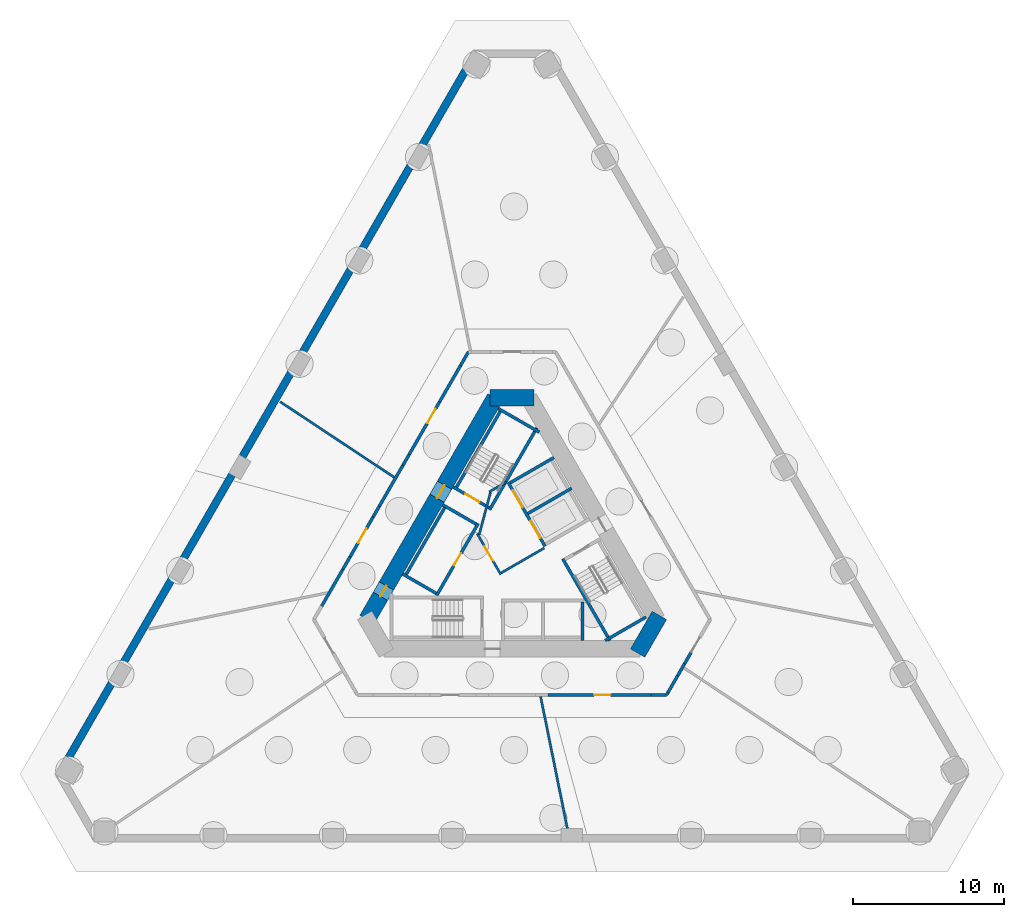
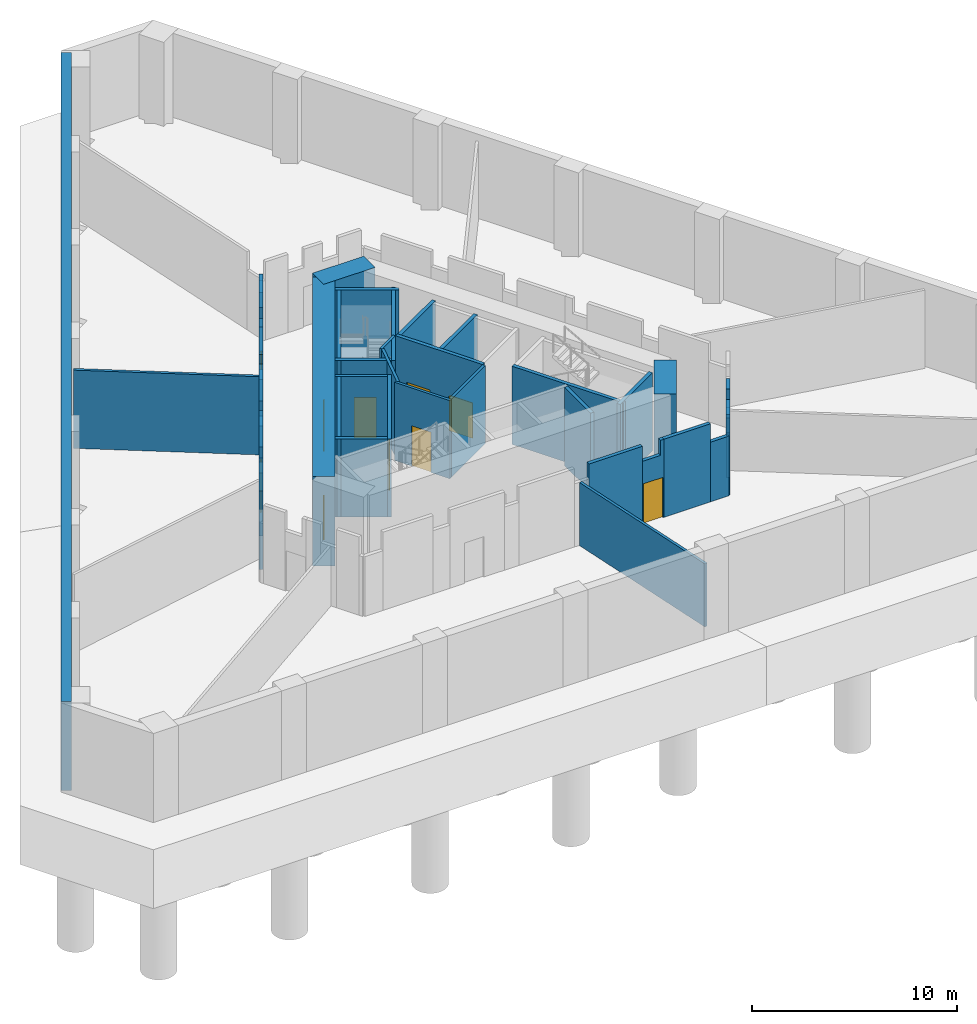
# One storey, part 3 of 7: 42 walls, 10 doors, 10 openings.
"""IFC4 building model written with IfcOpenShell, lengths in metres."""

from ifc_helpers import new_model, si_unit, direction, frame, frame_2d, origin, place, context, subcontext, project, spatial, polyline, rectangle, outline, extrude, material, layer, layer_set, type_object, element, fill, save


model = new_model("IFC4")

# Units and contexts
model_context = context("Model", 3, precision=1e-05, world=origin(), true_north=direction((0.0, 1.0)))
body_context = subcontext(model_context, "Body", "Model", "MODEL_VIEW")
ifc_project = project(units=[si_unit("LENGTHUNIT", "METRE"), si_unit("AREAUNIT", "SQUARE_METRE"), si_unit("VOLUMEUNIT", "CUBIC_METRE"), si_unit("PLANEANGLEUNIT", "RADIAN"), si_unit("MASSUNIT", "GRAM", prefix="KILO")], contexts=[model_context])

# Site, building, storey
site_placement = place(None, origin())
site = spatial("IfcSite", under=ifc_project, at=site_placement, CompositionType="ELEMENT")
building_placement = place(site_placement, origin())
building = spatial("IfcBuilding", under=site, at=building_placement, Name="Tramontana Tower", CompositionType="ELEMENT")
storey_placement = place(building_placement, frame((0.0, 0.0, -5.0)))
storey = spatial("IfcBuildingStorey", under=building, at=storey_placement, Name="B1", CompositionType="ELEMENT", Elevation=-5.0)

# Walls
ifc_material_1 = material(Name="Concrete 50 MPa", Category="concrete")
ifc_layer_1 = layer(ifc_material_1, 0.5)
ifc_layer_set_1 = layer_set([ifc_layer_1], Name="Basement wall 500 50 MPa")
wall_type_1 = type_object("IfcWallType", Name="Basement wall 500 50 MPa", PredefinedType="SHEAR", material=ifc_layer_set_1)
wall_1_placement = place(storey_placement, frame((-2.45361328125, 33.25, -0.300048828125), z_axis=(0.0, 0.0, 1.0), x_axis=(-0.500001743317, -0.866024397277, 0.0)))
element("IfcWall", 1, at=wall_1_placement, inside=storey, type_object=wall_type_1, Name="Basement wall 2", PredefinedType="SHEAR", context=body_context, shape_type="SweptSolid", body=[
    extrude(rectangle(XDim=55.136962890625, YDim=0.5, at=frame_2d((27.568359375, 0.0))), origin(), (0.0, 0.0, 1.0), 5.300048828125),
])
ifc_material_2 = material(Name="Concrete 70 MPa", Category="concrete")
ifc_layer_2 = layer(ifc_material_2, 1.10009765625)
ifc_layer_set_2 = layer_set([ifc_layer_2], Name="Core wall 1100 70 MPa")
wall_type_2 = type_object("IfcWallType", Name="Core wall 1100 70 MPa", PredefinedType="SHEAR", material=ifc_layer_set_2)
wall_2_placement = place(storey_placement, frame((1.443359375, 10.449951171875, -0.300048828125), z_axis=(0.0, 0.0, 1.0), x_axis=(-1.0, 0.0, 0.0)))
element("IfcWall", 2, at=wall_2_placement, inside=storey, type_object=wall_type_2, Name="Core wall C0 B1", PredefinedType="SHEAR", context=body_context, shape_type="SweptSolid", body=[
    extrude(rectangle(XDim=2.88671875, YDim=1.10009765625, at=frame_2d((1.443359375, 0.0))), origin(), (0.0, 0.0, 1.0), 5.300048828125),
])

# Wall, openings, doors
wall_3_placement = place(storey_placement, frame((-1.125732421875, 10.449951171875, -0.300048828125), z_axis=(0.0, 0.0, 1.0), x_axis=(-0.500001757713, -0.866024388966, 0.0)))
wall_3 = element("IfcWall", 3, at=wall_3_placement, inside=storey, type_object=wall_type_2, Name="Core wall C1 B1", PredefinedType="SHEAR", context=body_context, shape_type="SweptSolid", body=[
    extrude(rectangle(XDim=16.97412109375, YDim=1.10009765625, at=frame_2d((8.487060546875, 0.0))), origin(), (0.0, 0.0, 1.0), 5.300048828125),
])
opening_1_placement = place(wall_3_placement, frame((6.692138671875, 0.0, 0.300048828125)))
opening_1 = element("IfcOpeningElement", 4, at=opening_1_placement, cuts=wall_3, Name="Opening RG1", PredefinedType="OPENING", context=body_context, shape_type="SweptSolid", body=[
    extrude(rectangle(XDim=1.0, YDim=2.39990234375, at=frame_2d((0.5, 1.199951171875))), frame((0.0, 0.56005859375, 0.0), z_axis=(0.0, -1.0, 0.0), x_axis=(1.0, 0.0, 0.0)), (0.0, 0.0, 1.0), 1.1201171875),
])
opening_2_placement = place(wall_3_placement, frame((14.397216796875, 0.0, 0.300048828125)))
opening_2 = element("IfcOpeningElement", 5, at=opening_2_placement, cuts=wall_3, Name="Opening PD1", PredefinedType="OPENING", context=body_context, shape_type="SweptSolid", body=[
    extrude(rectangle(XDim=0.800048828125, YDim=2.10009765625, at=frame_2d((0.39990234375, 1.050048828125))), frame((0.0, 0.56005859375, 0.0), z_axis=(0.0, -1.0, 0.0), x_axis=(1.0, 0.0, 0.0)), (0.0, 0.0, 1.0), 1.1201171875),
])
ifc_material_3 = material(Name="Painted steel", Category="steel")
door_type_1 = type_object("IfcDoorType", Name="CUPBOARD DOOR 800", OperationType="SINGLE_SWING_LEFT", PredefinedType="DOOR", material=ifc_material_3)
door_1_placement = place(opening_2_placement, origin())
door_1 = element("IfcDoor", 6, at=door_1_placement, inside=storey, type_object=door_type_1, Name="Door PD1", OperationType="SINGLE_SWING_RIGHT", OverallHeight=2.10009765625, OverallWidth=0.800048828125, PredefinedType="DOOR", context=body_context, shape_type="SweptSolid", body=[
    extrude(rectangle(XDim=0.800048828125, YDim=2.10009765625, at=frame_2d((0.39990234375, 1.050048828125))), frame((0.0, 0.02490234375, 0.0), z_axis=(0.0, -1.0, 0.0), x_axis=(1.0, 0.0, 0.0)), (0.0, 0.0, 1.0), 0.050048828125),
])
fill(opening_2, door_1)
ifc_material_4 = material(Name="Painted steel", Category="steel")
door_type_2 = type_object("IfcDoorType", Name="RING DOOR 1000", OperationType="SINGLE_SWING_LEFT", PredefinedType="DOOR", material=ifc_material_4)
door_2_placement = place(opening_1_placement, origin())
door_2 = element("IfcDoor", 7, at=door_2_placement, inside=storey, type_object=door_type_2, Name="Door RG1", OperationType="SINGLE_SWING_LEFT", OverallHeight=2.39990234375, OverallWidth=1.0, PredefinedType="DOOR", context=body_context, shape_type="SweptSolid", body=[
    extrude(rectangle(XDim=1.0, YDim=2.39990234375, at=frame_2d((0.5, 1.199951171875))), frame((0.0, 0.02490234375, 0.0), z_axis=(0.0, -1.0, 0.0), x_axis=(1.0, 0.0, 0.0)), (0.0, 0.0, 1.0), 0.050048828125),
])
fill(opening_1, door_2)

# Walls
wall_4_placement = place(storey_placement, frame((8.328369140625, -6.47509765625, -0.300048828125), z_axis=(0.0, 0.0, 1.0), x_axis=(0.499995765644, 0.866027848477, 0.0)))
element("IfcWall", 8, at=wall_4_placement, inside=storey, type_object=wall_type_2, Name="Core wall C4 B1", PredefinedType="SHEAR", context=body_context, shape_type="SweptSolid", body=[
    extrude(rectangle(XDim=2.88671875, YDim=1.10009765625, at=frame_2d((1.443359375, 0.0))), origin(), (0.0, 0.0, 1.0), 5.300048828125),
])
ifc_material_5 = material(Name="Blockwork", Category="masonry")
ifc_layer_3 = layer(ifc_material_5, 0.199951171875)
ifc_layer_set_3 = layer_set([ifc_layer_3], Name="ENTRY WALL 200")
wall_type_3 = type_object("IfcWallType", Name="ENTRY WALL 200", PredefinedType="SOLIDWALL", material=ifc_layer_set_3)
wall_5_placement = place(storey_placement, frame((11.8623046875, -6.453857421875, 0.0), z_axis=(0.0, 0.0, 1.0), x_axis=(-0.499975693202, -0.866039436866, 0.0)))
element("IfcWall", 9, at=wall_5_placement, inside=storey, type_object=wall_type_3, Name="Wall ew1-3", PredefinedType="SOLIDWALL", context=body_context, shape_type="SweptSolid", body=[
    extrude(rectangle(XDim=0.8623046875, YDim=0.199951171875, at=frame_2d((0.43115234375, 0.0))), origin(), (0.0, 0.0, 1.0), 4.64990234375),
])
wall_6_placement = place(storey_placement, frame((11.43115234375, -7.20068359375, 0.0), z_axis=(0.0, 0.0, 1.0), x_axis=(-0.500097243556, -0.865969252911, 0.0)))
element("IfcWall", 10, at=wall_6_placement, inside=storey, type_object=wall_type_3, Name="Wall ew1-4", PredefinedType="SOLIDWALL", context=body_context, shape_type="SweptSolid", body=[
    extrude(rectangle(XDim=0.902099609375, YDim=0.199951171875, at=frame_2d((0.451171875, 0.0))), origin(), (0.0, 0.0, 1.0), 3.550048828125),
])
wall_7_placement = place(storey_placement, frame((10.97998046875, -7.98193359375, 0.0), z_axis=(0.0, 0.0, 1.0), x_axis=(-0.499911523785, -0.866076479525, 0.0)))
element("IfcWall", 11, at=wall_7_placement, inside=storey, type_object=wall_type_3, Name="Wall ew1-5", PredefinedType="SOLIDWALL", context=body_context, shape_type="SweptSolid", body=[
    extrude(rectangle(XDim=1.266845703125, YDim=0.199951171875, at=frame_2d((0.63330078125, 0.0))), origin(), (0.0, 0.0, 1.0), 4.64990234375),
])
wall_8_placement = place(storey_placement, frame((10.3466796875, -9.0791015625, 0.0), z_axis=(0.0, 0.0, 1.0), x_axis=(-0.499865263774, -0.866103179807, 0.0)))
element("IfcWall", 12, at=wall_8_placement, inside=storey, type_object=wall_type_3, Name="Wall ew1-6", PredefinedType="SOLIDWALL", context=body_context, shape_type="SweptSolid", body=[
    extrude(rectangle(XDim=0.197265625, YDim=0.199951171875, at=frame_2d((0.0986328125, 0.0))), origin(), (0.0, 0.0, 1.0), 3.550048828125),
])
wall_9_placement = place(storey_placement, frame((10.248046875, -9.25, 0.0), z_axis=(0.0, 0.0, 1.0), x_axis=(-1.0, 0.0, 0.0)))
element("IfcWall", 13, at=wall_9_placement, inside=storey, type_object=wall_type_3, Name="Wall ew2-0", PredefinedType="SOLIDWALL", context=body_context, shape_type="SweptSolid", body=[
    extrude(rectangle(XDim=1.035400390625, YDim=0.199951171875, at=frame_2d((0.517578125, 0.0))), origin(), (0.0, 0.0, 1.0), 3.550048828125),
])
wall_10_placement = place(storey_placement, frame((9.212646484375, -9.25, 0.0), z_axis=(0.0, 0.0, 1.0), x_axis=(-1.0, 0.0, 0.0)))
element("IfcWall", 14, at=wall_10_placement, inside=storey, type_object=wall_type_3, Name="Wall ew2-1", PredefinedType="SOLIDWALL", context=body_context, shape_type="SweptSolid", body=[
    extrude(rectangle(XDim=2.621826171875, YDim=0.199951171875, at=frame_2d((1.31103515625, 0.0))), origin(), (0.0, 0.0, 1.0), 4.64990234375),
])

# Wall, opening, door
wall_11_placement = place(storey_placement, frame((6.5908203125, -9.25, 0.0), z_axis=(0.0, 0.0, 1.0), x_axis=(-1.0, 0.0, 0.0)))
wall_11 = element("IfcWall", 15, at=wall_11_placement, inside=storey, type_object=wall_type_3, Name="Wall ew2-2", PredefinedType="SOLIDWALL", context=body_context, shape_type="SweptSolid", body=[
    extrude(outline(polyline([(0.0, 0.0), (1.199951171875, 0.0), (1.199951171875, 3.75), (0.193359375, 3.75), (0.193359375, 4.64990234375), (0.0, 4.64990234375), (0.0, 0.0)])), frame((0.0, 0.10009765625, 0.0), z_axis=(0.0, -1.0, 0.0), x_axis=(1.0, 0.0, 0.0)), (0.0, 0.0, 1.0), 0.199951171875),
])
opening_3_placement = place(wall_11_placement, frame((0.050048828125, 0.0, 0.0)))
opening_3 = element("IfcOpeningElement", 16, at=opening_3_placement, cuts=wall_11, Name="Opening B1-07", PredefinedType="OPENING", context=body_context, shape_type="SweptSolid", body=[
    extrude(rectangle(XDim=1.10009765625, YDim=2.39990234375, at=frame_2d((0.550048828125, 1.199951171875))), frame((0.0, 0.10986328125, 0.0), z_axis=(0.0, -1.0, 0.0), x_axis=(1.0, 0.0, 0.0)), (0.0, 0.0, 1.0), 0.219970703125),
])
ifc_material_6 = material(Name="Painted timber", Category="wood")
door_type_3 = type_object("IfcDoorType", Name="DOOR ENTRY 1100", OperationType="SINGLE_SWING_LEFT", PredefinedType="DOOR", material=ifc_material_6)
door_3_placement = place(opening_3_placement, origin())
door_3 = element("IfcDoor", 17, at=door_3_placement, inside=storey, type_object=door_type_3, Name="Door B1-07", OperationType="SINGLE_SWING_LEFT", OverallHeight=2.39990234375, OverallWidth=1.10009765625, PredefinedType="DOOR", context=body_context, shape_type="SweptSolid", body=[
    extrude(rectangle(XDim=1.10009765625, YDim=2.39990234375, at=frame_2d((0.550048828125, 1.199951171875))), frame((0.0, 0.02490234375, 0.0), z_axis=(0.0, -1.0, 0.0), x_axis=(1.0, 0.0, 0.0)), (0.0, 0.0, 1.0), 0.050048828125),
])
fill(opening_3, door_3)

# Walls
wall_12_placement = place(storey_placement, frame((5.390869140625, -9.25, 0.0), z_axis=(0.0, 0.0, 1.0), x_axis=(-1.0, 0.0, 0.0)))
element("IfcWall", 18, at=wall_12_placement, inside=storey, type_object=wall_type_3, Name="Wall ew2-3", PredefinedType="SOLIDWALL", context=body_context, shape_type="SweptSolid", body=[
    extrude(rectangle(XDim=3.0078125, YDim=0.199951171875, at=frame_2d((1.50390625, 0.0))), origin(), (0.0, 0.0, 1.0), 4.64990234375),
])
wall_13_placement = place(storey_placement, frame((-12.616943359375, -3.353515625, 0.0), z_axis=(0.0, 0.0, 1.0), x_axis=(0.49993514545, 0.866062844338, 0.0)))
element("IfcWall", 19, at=wall_13_placement, inside=storey, type_object=wall_type_3, Name="Wall ew4-1", PredefinedType="SOLIDWALL", context=body_context, shape_type="SweptSolid", body=[
    extrude(rectangle(XDim=2.815185546875, YDim=0.199951171875, at=frame_2d((1.40771484375, 0.0))), origin(), (0.0, 0.0, 1.0), 4.64990234375),
])
wall_14_placement = place(storey_placement, frame((-11.20947265625, -0.915283203125, 0.0), z_axis=(0.0, 0.0, 1.0), x_axis=(0.500174821557, 0.865924446982, 0.0)))
element("IfcWall", 20, at=wall_14_placement, inside=storey, type_object=wall_type_3, Name="Wall ew4-2", PredefinedType="SOLIDWALL", context=body_context, shape_type="SweptSolid", body=[
    extrude(rectangle(XDim=0.949951171875, YDim=0.199951171875, at=frame_2d((0.47509765625, 0.0))), origin(), (0.0, 0.0, 1.0), 3.75),
])

# Wall, opening, door
wall_15_placement = place(storey_placement, frame((-10.734375, -0.0927734375, 0.0), z_axis=(0.0, 0.0, 1.0), x_axis=(0.499952348839, 0.866052913447, 0.0)))
wall_15 = element("IfcWall", 21, at=wall_15_placement, inside=storey, type_object=wall_type_3, Name="Wall ew4-3", PredefinedType="SOLIDWALL", context=body_context, shape_type="SweptSolid", body=[
    extrude(rectangle(XDim=3.064208984375, YDim=0.199951171875, at=frame_2d((1.5322265625, 0.0))), origin(), (0.0, 0.0, 1.0), 4.64990234375),
])
opening_4_placement = place(wall_15_placement, frame((1.056640625, 0.0, 0.0)))
opening_4 = element("IfcOpeningElement", 22, at=opening_4_placement, cuts=wall_15, Name="Opening B1-04", PredefinedType="OPENING", context=body_context, shape_type="SweptSolid", body=[
    extrude(rectangle(XDim=1.10009765625, YDim=2.39990234375, at=frame_2d((0.550048828125, 1.199951171875))), frame((0.0, 0.10986328125, 0.0), z_axis=(0.0, -1.0, 0.0), x_axis=(1.0, 0.0, 0.0)), (0.0, 0.0, 1.0), 0.219970703125),
])
door_4_placement = place(opening_4_placement, origin())
door_4 = element("IfcDoor", 23, at=door_4_placement, inside=storey, type_object=door_type_3, Name="Door B1-04", OperationType="SINGLE_SWING_RIGHT", OverallHeight=2.39990234375, OverallWidth=1.10009765625, PredefinedType="DOOR", context=body_context, shape_type="SweptSolid", body=[
    extrude(rectangle(XDim=1.10009765625, YDim=2.39990234375, at=frame_2d((0.550048828125, 1.199951171875))), frame((0.0, 0.02490234375, 0.0), z_axis=(0.0, -1.0, 0.0), x_axis=(1.0, 0.0, 0.0)), (0.0, 0.0, 1.0), 0.050048828125),
])
fill(opening_4, door_4)

# Walls
wall_16_placement = place(storey_placement, frame((-9.202392578125, 2.56103515625, 0.0), z_axis=(0.0, 0.0, 1.0), x_axis=(0.500118501653, 0.865956976012, 0.0)))
element("IfcWall", 24, at=wall_16_placement, inside=storey, type_object=wall_type_3, Name="Wall ew4-4", PredefinedType="SOLIDWALL", context=body_context, shape_type="SweptSolid", body=[
    extrude(rectangle(XDim=0.818115234375, YDim=0.199951171875, at=frame_2d((0.4091796875, 0.0))), origin(), (0.0, 0.0, 1.0), 3.75),
])
wall_17_placement = place(storey_placement, frame((-8.793212890625, 3.26953125, 0.0), z_axis=(0.0, 0.0, 1.0), x_axis=(0.499947505232, 0.866055709532, 0.0)))
element("IfcWall", 25, at=wall_17_placement, inside=storey, type_object=wall_type_3, Name="Wall ew4-5", PredefinedType="SOLIDWALL", context=body_context, shape_type="SweptSolid", body=[
    extrude(rectangle(XDim=3.130126953125, YDim=0.199951171875, at=frame_2d((1.56494140625, 0.0))), origin(), (0.0, 0.0, 1.0), 4.64990234375),
])
wall_18_placement = place(storey_placement, frame((-7.228271484375, 5.98046875, 0.0), z_axis=(0.0, 0.0, 1.0), x_axis=(0.500118501653, 0.865956976012, 0.0)))
element("IfcWall", 26, at=wall_18_placement, inside=storey, type_object=wall_type_3, Name="Wall ew4-6", PredefinedType="SOLIDWALL", context=body_context, shape_type="SweptSolid", body=[
    extrude(rectangle(XDim=0.818115234375, YDim=0.199951171875, at=frame_2d((0.4091796875, 0.0))), origin(), (0.0, 0.0, 1.0), 3.75),
])
wall_19_placement = place(storey_placement, frame((-6.819091796875, 6.68896484375, 0.0), z_axis=(0.0, 0.0, 1.0), x_axis=(0.499995339376, 0.86602809458, 0.0)))
element("IfcWall", 27, at=wall_19_placement, inside=storey, type_object=wall_type_3, Name="Wall ew4-7", PredefinedType="SOLIDWALL", context=body_context, shape_type="SweptSolid", body=[
    extrude(rectangle(XDim=2.34912109375, YDim=0.199951171875, at=frame_2d((1.174560546875, 0.0))), origin(), (0.0, 0.0, 1.0), 4.64990234375),
])

# Wall, opening, door
wall_20_placement = place(storey_placement, frame((-5.64453125, 8.723388671875, 0.0), z_axis=(0.0, 0.0, 1.0), x_axis=(0.500018619731, 0.866014653411, 0.0)))
wall_20 = element("IfcWall", 28, at=wall_20_placement, inside=storey, type_object=wall_type_3, Name="Wall ew4-8", PredefinedType="SOLIDWALL", context=body_context, shape_type="SweptSolid", body=[
    extrude(outline(polyline([(0.0, 0.0), (1.6650390625, 0.0), (1.6650390625, 3.75), (0.715087890625, 3.75), (0.715087890625, 4.64990234375), (0.0, 4.64990234375), (0.0, 0.0)])), frame((0.0, 0.10009765625, 0.0), z_axis=(0.0, -1.0, 0.0), x_axis=(1.0, 0.0, 0.0)), (0.0, 0.0, 1.0), 0.199951171875),
])
opening_5_placement = place(wall_20_placement, frame((0.050048828125, 0.0, 0.0)))
opening_5 = element("IfcOpeningElement", 29, at=opening_5_placement, cuts=wall_20, Name="Opening B1-03", PredefinedType="OPENING", context=body_context, shape_type="SweptSolid", body=[
    extrude(rectangle(XDim=1.10009765625, YDim=2.39990234375, at=frame_2d((0.550048828125, 1.199951171875))), frame((0.0, 0.10986328125, 0.0), z_axis=(0.0, -1.0, 0.0), x_axis=(1.0, 0.0, 0.0)), (0.0, 0.0, 1.0), 0.219970703125),
])
door_5_placement = place(opening_5_placement, origin())
door_5 = element("IfcDoor", 30, at=door_5_placement, inside=storey, type_object=door_type_3, Name="Door B1-03", OperationType="SINGLE_SWING_LEFT", OverallHeight=2.39990234375, OverallWidth=1.10009765625, PredefinedType="DOOR", context=body_context, shape_type="SweptSolid", body=[
    extrude(rectangle(XDim=1.10009765625, YDim=2.39990234375, at=frame_2d((0.550048828125, 1.199951171875))), frame((0.0, 0.02490234375, 0.0), z_axis=(0.0, -1.0, 0.0), x_axis=(1.0, 0.0, 0.0)), (0.0, 0.0, 1.0), 0.050048828125),
])
fill(opening_5, door_5)

# Walls
wall_21_placement = place(storey_placement, frame((-4.81201171875, 10.165283203125, 0.0), z_axis=(0.0, 0.0, 1.0), x_axis=(0.500000186108, 0.866025296335, 0.0)))
element("IfcWall", 31, at=wall_21_placement, inside=storey, type_object=wall_type_3, Name="Wall ew4-9", PredefinedType="SOLIDWALL", context=body_context, shape_type="SweptSolid", body=[
    extrude(rectangle(XDim=2.8154296875, YDim=0.199951171875, at=frame_2d((1.40771484375, 0.0))), origin(), (0.0, 0.0, 1.0), 4.64990234375),
])
wall_22_placement = place(storey_placement, frame((-3.404296875, 12.603515625, 0.0), z_axis=(0.0, 0.0, 1.0), x_axis=(0.499994660107, 0.866028486751, 0.0)))
element("IfcWall", 32, at=wall_22_placement, inside=storey, type_object=wall_type_3, Name="Wall ew4-10", PredefinedType="SOLIDWALL", context=body_context, shape_type="SweptSolid", body=[
    extrude(rectangle(XDim=1.03515625, YDim=0.199951171875, at=frame_2d((0.517578125, 0.0))), origin(), (0.0, 0.0, 1.0), 3.550048828125),
])

# Wall, opening, door
ifc_material_7 = material(Name="Gypsum board partition")
ifc_layer_4 = layer(ifc_material_7, 0.14990234375)
ifc_layer_set_4 = layer_set([ifc_layer_4], Name="PARTITION 150")
wall_type_4 = type_object("IfcWallType", Name="PARTITION 150", PredefinedType="PARTITIONING", material=ifc_layer_set_4)
wall_23_placement = place(storey_placement, frame((-0.744140625, -1.260986328125, 0.0), z_axis=(0.0, 0.0, 1.0), x_axis=(-0.500004234368, 0.866022959057, 0.0)))
wall_23 = element("IfcWall", 33, at=wall_23_placement, inside=storey, type_object=wall_type_4, Name="Wall ff-front", PredefinedType="PARTITIONING", context=body_context, shape_type="SweptSolid", body=[
    extrude(rectangle(XDim=3.125, YDim=0.14990234375, at=frame_2d((1.5625, 0.0))), origin(), (0.0, 0.0, 1.0), 4.64990234375),
])
opening_6_placement = place(wall_23_placement, frame((1.050048828125, 0.0, 0.0)))
opening_6 = element("IfcOpeningElement", 34, at=opening_6_placement, cuts=wall_23, Name="Opening FD1", PredefinedType="OPENING", context=body_context, shape_type="SweptSolid", body=[
    extrude(rectangle(XDim=1.10009765625, YDim=2.39990234375, at=frame_2d((0.550048828125, 1.199951171875))), frame((0.0, 0.0849609375, 0.0), z_axis=(0.0, -1.0, 0.0), x_axis=(1.0, 0.0, 0.0)), (0.0, 0.0, 1.0), 0.169921875),
])
door_6_placement = place(opening_6_placement, origin())
door_6 = element("IfcDoor", 35, at=door_6_placement, inside=storey, type_object=door_type_3, Name="Door FD1", OperationType="SINGLE_SWING_RIGHT", OverallHeight=2.39990234375, OverallWidth=1.10009765625, PredefinedType="DOOR", context=body_context, shape_type="SweptSolid", body=[
    extrude(rectangle(XDim=1.10009765625, YDim=2.39990234375, at=frame_2d((0.550048828125, 1.199951171875))), frame((0.0, 0.02490234375, 0.0), z_axis=(0.0, -1.0, 0.0), x_axis=(1.0, 0.0, 0.0)), (0.0, 0.0, 1.0), 0.050048828125),
])
fill(opening_6, door_6)

# Walls
wall_24_placement = place(storey_placement, frame((-0.716796875, -1.15869140625, 0.0), z_axis=(0.0, 0.0, 1.0), x_axis=(0.866008176907, 0.50002983664, 0.0)))
element("IfcWall", 36, at=wall_24_placement, inside=storey, type_object=wall_type_4, Name="Wall ff-end0", PredefinedType="PARTITIONING", context=body_context, shape_type="SweptSolid", body=[
    extrude(rectangle(XDim=3.300048828125, YDim=0.14990234375, at=frame_2d((1.64990234375, 0.0))), origin(), (0.0, 0.0, 1.0), 4.64990234375),
])
wall_25_placement = place(storey_placement, frame((-2.177978515625, 1.372314453125, 0.0), z_axis=(0.0, 0.0, 1.0), x_axis=(0.258808958833, 0.96592852884, 0.0)))
element("IfcWall", 37, at=wall_25_placement, inside=storey, type_object=wall_type_4, Name="Wall ff-diag", PredefinedType="PARTITIONING", context=body_context, shape_type="SweptSolid", body=[
    extrude(rectangle(XDim=2.902587890625, YDim=0.14990234375, at=frame_2d((1.451171875, 0.0))), origin(), (0.0, 0.0, 1.0), 4.64990234375),
])
wall_26_placement = place(storey_placement, frame((-1.509765625, 4.21484375, 0.0), z_axis=(0.0, 0.0, 1.0), x_axis=(0.866085525409, 0.49989585183, 0.0)))
element("IfcWall", 38, at=wall_26_placement, inside=storey, type_object=wall_type_4, Name="Wall ff-end1", PredefinedType="PARTITIONING", context=body_context, shape_type="SweptSolid", body=[
    extrude(rectangle(XDim=1.300048828125, YDim=0.14990234375, at=frame_2d((0.64990234375, 0.0))), origin(), (0.0, 0.0, 1.0), 4.64990234375),
])
wall_27_placement = place(storey_placement, frame((-7.80810546875, 5.176025390625, 0.0), z_axis=(0.0, 0.0, 1.0), x_axis=(-0.833484918625, 0.552542206917, 0.0)))
element("IfcWall", 39, at=wall_27_placement, inside=storey, type_object=wall_type_4, Name="Wall fw-pw02", PredefinedType="PARTITIONING", context=body_context, shape_type="SweptSolid", body=[
    extrude(rectangle(XDim=9.067138671875, YDim=0.14990234375, at=frame_2d((4.53369140625, 0.0))), origin(), (0.0, 0.0, 1.0), 4.64990234375),
])
wall_28_placement = place(storey_placement, frame((1.895263671875, -9.35009765625, 0.0), z_axis=(0.0, 0.0, 1.0), x_axis=(0.198667918865, -0.980066864053, 0.0)))
element("IfcWall", 40, at=wall_28_placement, inside=storey, type_object=wall_type_4, Name="Wall fw-pw04-0", PredefinedType="PARTITIONING", context=body_context, shape_type="SweptSolid", body=[
    extrude(rectangle(XDim=9.23388671875, YDim=0.14990234375, at=frame_2d((4.616943359375, 0.0))), origin(), (0.0, 0.0, 1.0), 3.75),
])
ifc_material_8 = material(Name="Concrete 70 MPa", Category="concrete")
ifc_layer_5 = layer(ifc_material_8, 0.199951171875)
ifc_layer_set_5 = layer_set([ifc_layer_5], Name="Concrete 70 MPa, 200 mm")
wall_type_5 = type_object("IfcWallType", Name="RC SHAFT BACK WALL 200", PredefinedType="SOLIDWALL", material=ifc_layer_set_5)
wall_29_placement = place(storey_placement, frame((-0.679931640625, 9.722412109375, 0.0), z_axis=(0.0, 0.0, 1.0), x_axis=(-0.49998037582, -0.866036733513, 0.0)))
element("IfcWall", 41, at=wall_29_placement, inside=storey, type_object=wall_type_5, Name="Wall st1-back", PredefinedType="SOLIDWALL", context=body_context, shape_type="SweptSolid", body=[
    extrude(rectangle(XDim=6.199951171875, YDim=0.199951171875, at=frame_2d((3.10009765625, 0.0))), origin(), (0.0, 0.0, 1.0), 4.64990234375),
])
wall_30_placement = place(storey_placement, frame((-4.36474609375, 3.33984375, 0.0), z_axis=(0.0, 0.0, 1.0), x_axis=(-0.499996545922, -0.866027397988, 0.0)))
element("IfcWall", 42, at=wall_30_placement, inside=storey, type_object=wall_type_5, Name="Wall row0-back", PredefinedType="SOLIDWALL", context=body_context, shape_type="SweptSolid", body=[
    extrude(rectangle(XDim=5.5, YDim=0.199951171875, at=frame_2d((2.75, 0.0))), origin(), (0.0, 0.0, 1.0), 4.64990234375),
])
ifc_material_9 = material(Name="Concrete 70 MPa", Category="concrete")
ifc_layer_6 = layer(ifc_material_9, 0.199951171875)
ifc_layer_set_6 = layer_set([ifc_layer_6], Name="Concrete 70 MPa, 200 mm")
wall_type_6 = type_object("IfcWallType", Name="RC STAIR AND SHAFT WALL 200", PredefinedType="SOLIDWALL", material=ifc_layer_set_6)
wall_31_placement = place(storey_placement, frame((1.6455078125, 8.449951171875, 0.0), z_axis=(0.0, 0.0, 1.0), x_axis=(-0.500006002103, -0.866021938441, 0.0)))
element("IfcWall", 43, at=wall_31_placement, inside=storey, type_object=wall_type_6, Name="Wall st1-front", PredefinedType="SOLIDWALL", context=body_context, shape_type="SweptSolid", body=[
    extrude(rectangle(XDim=6.2607421875, YDim=0.199951171875, at=frame_2d((3.13037109375, 0.0))), origin(), (0.0, 0.0, 1.0), 4.64990234375),
])
wall_32_placement = place(storey_placement, frame((1.80615234375, 8.171875, 0.0), z_axis=(0.0, 0.0, 1.0), x_axis=(-0.866054327916, 0.499949898588, 0.0)))
element("IfcWall", 44, at=wall_32_placement, inside=storey, type_object=wall_type_6, Name="Wall st1-far", PredefinedType="SOLIDWALL", context=body_context, shape_type="SweptSolid", body=[
    extrude(rectangle(XDim=3.128173828125, YDim=0.199951171875, at=frame_2d((1.56396484375, 0.0))), origin(), (0.0, 0.0, 1.0), 4.64990234375),
])

# Wall, opening, door
wall_33_placement = place(storey_placement, frame((-1.521484375, 3.164794921875, 0.0), z_axis=(0.0, 0.0, 1.0), x_axis=(-0.866027397988, 0.499996545922, 0.0)))
wall_33 = element("IfcWall", 45, at=wall_33_placement, inside=storey, type_object=wall_type_6, Name="Wall st1-near", PredefinedType="SOLIDWALL", context=body_context, shape_type="SweptSolid", body=[
    extrude(rectangle(XDim=2.75, YDim=0.199951171875, at=frame_2d((1.375, 0.0))), origin(), (0.0, 0.0, 1.0), 4.64990234375),
])
opening_7_placement = place(wall_33_placement, frame((0.72509765625, 0.0, 0.0)))
opening_7 = element("IfcOpeningElement", 46, at=opening_7_placement, cuts=wall_33, Name="Opening SD1", PredefinedType="OPENING", context=body_context, shape_type="SweptSolid", body=[
    extrude(rectangle(XDim=1.10009765625, YDim=2.39990234375, at=frame_2d((0.550048828125, 1.199951171875))), frame((0.0, 0.10986328125, 0.0), z_axis=(0.0, -1.0, 0.0), x_axis=(1.0, 0.0, 0.0)), (0.0, 0.0, 1.0), 0.219970703125),
])
ifc_material_10 = material(Name="Painted steel", Category="steel")
door_type_4 = type_object("IfcDoorType", Name="STAIR DOOR 1100", OperationType="SINGLE_SWING_LEFT", PredefinedType="DOOR", material=ifc_material_10)
door_7_placement = place(opening_7_placement, origin())
door_7 = element("IfcDoor", 47, at=door_7_placement, inside=storey, type_object=door_type_4, Name="Door SD1", OperationType="SINGLE_SWING_RIGHT", OverallHeight=2.39990234375, OverallWidth=1.10009765625, PredefinedType="DOOR", context=body_context, shape_type="SweptSolid", body=[
    extrude(rectangle(XDim=1.10009765625, YDim=2.39990234375, at=frame_2d((0.550048828125, 1.199951171875))), frame((0.0, 0.02490234375, 0.0), z_axis=(0.0, -1.0, 0.0), x_axis=(1.0, 0.0, 0.0)), (0.0, 0.0, 1.0), 0.050048828125),
])
fill(opening_7, door_7)

# Walls
wall_34_placement = place(storey_placement, frame((6.4951171875, -5.64990234375, 0.0), z_axis=(0.0, 0.0, 1.0), x_axis=(-0.499976754523, 0.866038824151, 0.0)))
element("IfcWall", 48, at=wall_34_placement, inside=storey, type_object=wall_type_6, Name="Wall st3-front", PredefinedType="SOLIDWALL", context=body_context, shape_type="SweptSolid", body=[
    extrude(rectangle(XDim=6.260498046875, YDim=0.199951171875, at=frame_2d((3.13037109375, 0.0))), origin(), (0.0, 0.0, 1.0), 4.64990234375),
])
wall_35_placement = place(storey_placement, frame((6.173828125, -5.64990234375, 0.0), z_axis=(0.0, 0.0, 1.0), x_axis=(0.866054327916, 0.499949898588, 0.0)))
element("IfcWall", 49, at=wall_35_placement, inside=storey, type_object=wall_type_6, Name="Wall st3-far", PredefinedType="SOLIDWALL", context=body_context, shape_type="SweptSolid", body=[
    extrude(rectangle(XDim=3.128173828125, YDim=0.199951171875, at=frame_2d((1.56396484375, 0.0))), origin(), (0.0, 0.0, 1.0), 4.64990234375),
])

# Wall, opening, door
wall_36_placement = place(storey_placement, frame((-4.9931640625, -2.648193359375, 0.0), z_axis=(0.0, 0.0, 1.0), x_axis=(0.499996545922, 0.866027397988, 0.0)))
wall_36 = element("IfcWall", 50, at=wall_36_placement, inside=storey, type_object=wall_type_6, Name="Wall row0-front", PredefinedType="SOLIDWALL", context=body_context, shape_type="SweptSolid", body=[
    extrude(rectangle(XDim=5.5, YDim=0.199951171875, at=frame_2d((2.75, 0.0))), origin(), (0.0, 0.0, 1.0), 4.64990234375),
])
opening_8_placement = place(wall_36_placement, frame((2.27490234375, 0.0, 0.0)))
opening_8 = element("IfcOpeningElement", 51, at=opening_8_placement, cuts=wall_36, Name="Opening RD-0", PredefinedType="OPENING", context=body_context, shape_type="SweptSolid", body=[
    extrude(rectangle(XDim=0.949951171875, YDim=2.39990234375, at=frame_2d((0.47509765625, 1.199951171875))), frame((0.0, 0.10986328125, 0.0), z_axis=(0.0, -1.0, 0.0), x_axis=(1.0, 0.0, 0.0)), (0.0, 0.0, 1.0), 0.219970703125),
])
ifc_material_11 = material(Name="Painted timber", Category="wood")
door_type_5 = type_object("IfcDoorType", Name="DOOR ROOM 950", OperationType="SINGLE_SWING_LEFT", PredefinedType="DOOR", material=ifc_material_11)
door_8_placement = place(opening_8_placement, origin())
door_8 = element("IfcDoor", 52, at=door_8_placement, inside=storey, type_object=door_type_5, Name="Door RD-0", OperationType="SINGLE_SWING_LEFT", OverallHeight=2.39990234375, OverallWidth=0.949951171875, PredefinedType="DOOR", context=body_context, shape_type="SweptSolid", body=[
    extrude(rectangle(XDim=0.949951171875, YDim=2.39990234375, at=frame_2d((0.47509765625, 1.199951171875))), frame((0.0, 0.02490234375, 0.0), z_axis=(0.0, -1.0, 0.0), x_axis=(1.0, 0.0, 0.0)), (0.0, 0.0, 1.0), 0.050048828125),
])
fill(opening_8, door_8)

# Walls
for number, where, z_axis, x_axis, name in (
    (53, (-2.379638671875, 2.078369140625, 0.0), (0.0, 0.0, 1.0), (-0.866054858364, 0.499948979701, 0.0), "Wall row0-side0"),
    (54, (-5.02978515625, -2.51171875, 0.0), (0.0, 0.0, 1.0), (-0.865989465428, 0.500062241894, 0.0), "Wall row0-side2"),
):
    element("IfcWall", number, at=place(storey_placement, frame(where, z_axis=z_axis, x_axis=x_axis)), inside=storey, type_object=wall_type_6, Name=name, PredefinedType="SOLIDWALL", context=body_context, shape_type="SweptSolid", body=[
        extrude(rectangle(XDim=2.550048828125, YDim=0.199951171875, at=frame_2d((1.27490234375, 0.0))), origin(), (0.0, 0.0, 1.0), 4.64990234375),
    ])
wall_37_placement = place(storey_placement, frame((4.68994140625, -3.10009765625, 0.0), z_axis=(0.0, 0.0, 1.0), x_axis=(0.0, -1.0, 0.0)))
element("IfcWall", 55, at=wall_37_placement, inside=storey, type_object=wall_type_6, Name="Wall row1-side2", PredefinedType="SOLIDWALL", context=body_context, shape_type="SweptSolid", body=[
    extrude(rectangle(XDim=2.5498046875, YDim=0.199951171875, at=frame_2d((1.27490234375, 0.0))), origin(), (0.0, 0.0, 1.0), 4.64990234375),
])

# Wall, openings, doors
wall_38_placement = place(storey_placement, frame((2.190185546875, 0.6064453125, 0.0), z_axis=(0.0, 0.0, 1.0), x_axis=(-0.500002801628, 0.866023786258, 0.0)))
wall_38 = element("IfcWall", 56, at=wall_38_placement, inside=storey, type_object=wall_type_6, Name="Wall row2-front", PredefinedType="SOLIDWALL", context=body_context, shape_type="SweptSolid", body=[
    extrude(rectangle(XDim=4.89990234375, YDim=0.199951171875, at=frame_2d((2.449951171875, 0.0))), origin(), (0.0, 0.0, 1.0), 4.64990234375),
])
opening_9_placement = place(wall_38_placement, frame((0.625, 0.0, 0.0)))
opening_9 = element("IfcOpeningElement", 57, at=opening_9_placement, cuts=wall_38, Name="Opening LD-F1", PredefinedType="OPENING", context=body_context, shape_type="SweptSolid", body=[
    extrude(rectangle(XDim=1.300048828125, YDim=2.10009765625, at=frame_2d((0.64990234375, 1.050048828125))), frame((0.0, 0.10986328125, 0.0), z_axis=(0.0, -1.0, 0.0), x_axis=(1.0, 0.0, 0.0)), (0.0, 0.0, 1.0), 0.219970703125),
])
opening_10_placement = place(wall_38_placement, frame((2.97509765625, 0.0, 0.0)))
opening_10 = element("IfcOpeningElement", 58, at=opening_10_placement, cuts=wall_38, Name="Opening LD-F2", PredefinedType="OPENING", context=body_context, shape_type="SweptSolid", body=[
    extrude(rectangle(XDim=1.300048828125, YDim=2.10009765625, at=frame_2d((0.64990234375, 1.050048828125))), frame((0.0, 0.10986328125, 0.0), z_axis=(0.0, -1.0, 0.0), x_axis=(1.0, 0.0, 0.0)), (0.0, 0.0, 1.0), 0.219970703125),
])
ifc_material_12 = material(Name="Brushed steel", Category="steel")
door_type_6 = type_object("IfcDoorType", Name="LANDING DOOR 1300", OperationType="SINGLE_SWING_LEFT", PredefinedType="DOOR", material=ifc_material_12)
door_9_placement = place(opening_9_placement, origin())
door_9 = element("IfcDoor", 59, at=door_9_placement, inside=storey, type_object=door_type_6, Name="Door LD-F1", OperationType="SLIDING_TO_RIGHT", OverallHeight=2.10009765625, OverallWidth=1.300048828125, PredefinedType="DOOR", context=body_context, shape_type="SweptSolid", body=[
    extrude(rectangle(XDim=1.300048828125, YDim=2.10009765625, at=frame_2d((0.64990234375, 1.050048828125))), frame((0.0, 0.02490234375, 0.0), z_axis=(0.0, -1.0, 0.0), x_axis=(1.0, 0.0, 0.0)), (0.0, 0.0, 1.0), 0.050048828125),
])
fill(opening_9, door_9)
door_10_placement = place(opening_10_placement, origin())
door_10 = element("IfcDoor", 60, at=door_10_placement, inside=storey, type_object=door_type_6, Name="Door LD-F2", OperationType="SLIDING_TO_LEFT", OverallHeight=2.10009765625, OverallWidth=1.300048828125, PredefinedType="DOOR", context=body_context, shape_type="SweptSolid", body=[
    extrude(rectangle(XDim=1.300048828125, YDim=2.10009765625, at=frame_2d((0.64990234375, 1.050048828125))), frame((0.0, 0.02490234375, 0.0), z_axis=(0.0, -1.0, 0.0), x_axis=(1.0, 0.0, 0.0)), (0.0, 0.0, 1.0), 0.050048828125),
])
fill(opening_10, door_10)

# Walls
wall_39_placement = place(storey_placement, frame((1.0517578125, 2.778076171875, 0.0), z_axis=(0.0, 0.0, 1.0), x_axis=(0.866032680314, 0.499987396469, 0.0)))
element("IfcWall", 61, at=wall_39_placement, inside=storey, type_object=wall_type_6, Name="Wall row2-side1", PredefinedType="SOLIDWALL", context=body_context, shape_type="SweptSolid", body=[
    extrude(rectangle(XDim=3.35009765625, YDim=0.199951171875, at=frame_2d((1.675048828125, 0.0))), origin(), (0.0, 0.0, 1.0), 4.64990234375),
])
wall_40_placement = place(storey_placement, frame((-0.123046875, 4.813232421875, 0.0), z_axis=(0.0, 0.0, 1.0), x_axis=(0.866014461049, 0.500018952895, 0.0)))
element("IfcWall", 62, at=wall_40_placement, inside=storey, type_object=wall_type_6, Name="Wall row2-side2", PredefinedType="SOLIDWALL", context=body_context, shape_type="SweptSolid", body=[
    extrude(rectangle(XDim=3.349853515625, YDim=0.199951171875, at=frame_2d((1.6748046875, 0.0))), origin(), (0.0, 0.0, 1.0), 4.64990234375),
])

save(model, "model.ifc")
